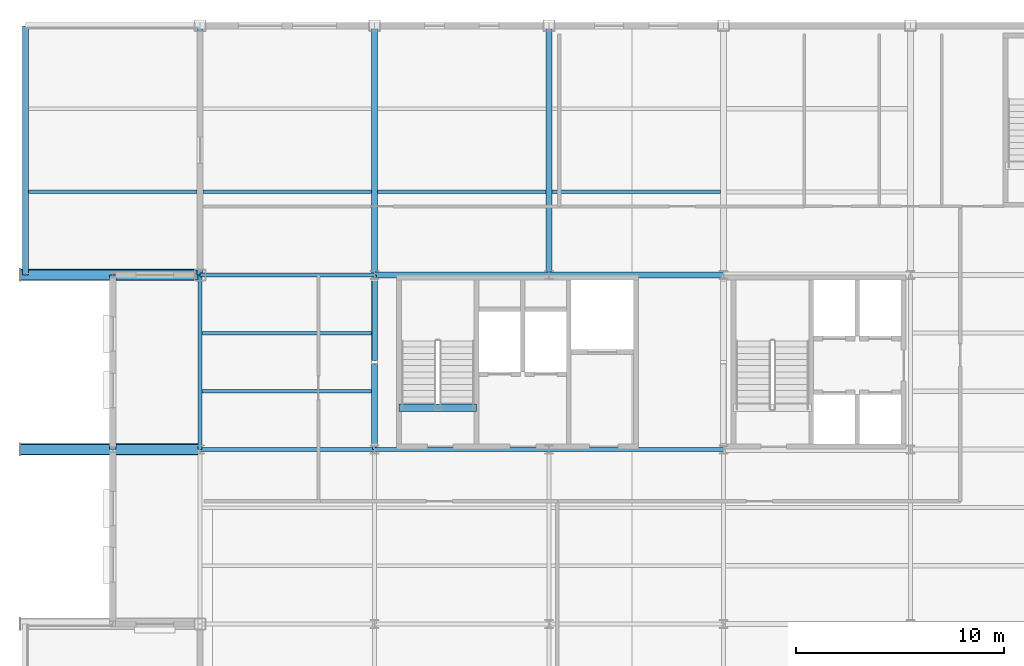
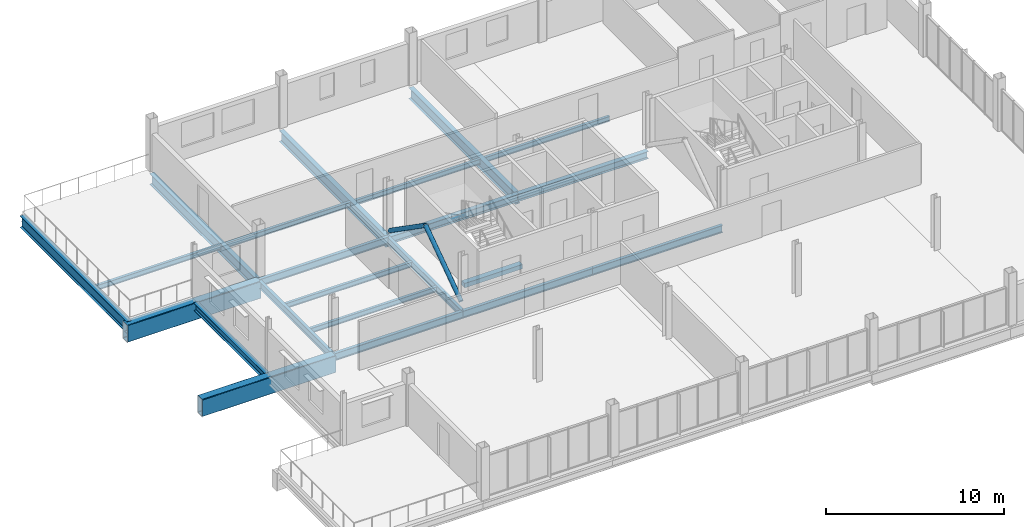
# One storey, part 6 of 18: 22 beams, 2 members.
"""IFC4 building model written with IfcOpenShell, lengths in metres."""

from ifc_helpers import new_model, si_unit, direction, frame, origin, origin_2d, place, context, subcontext, project, spatial, rectangle, hollow_rectangle, hollow_circle, i_section, extrude, material, material_profile, profile_set, type_object, element, save


model = new_model("IFC4")

# Units and contexts
model_context = context("Model", 3, precision=1e-05, world=origin(), true_north=direction((0.0, 1.0)))
body_context = subcontext(model_context, "Body", "Model", "MODEL_VIEW")
ifc_project = project(units=[si_unit("LENGTHUNIT", "METRE"), si_unit("AREAUNIT", "SQUARE_METRE"), si_unit("VOLUMEUNIT", "CUBIC_METRE"), si_unit("PLANEANGLEUNIT", "RADIAN"), si_unit("MASSUNIT", "GRAM", prefix="KILO")], contexts=[model_context])

# Site, building, storey
site_placement = place(None, origin())
site = spatial("IfcSite", under=ifc_project, at=site_placement, CompositionType="ELEMENT")
building_placement = place(site_placement, origin())
building = spatial("IfcBuilding", under=site, at=building_placement, Name="Yukiwa Park Conservatory and Herbarium", CompositionType="ELEMENT")
storey_placement = place(building_placement, frame((0.0, 0.0, 21.0)))
storey = spatial("IfcBuildingStorey", under=building, at=storey_placement, Name="L05", CompositionType="ELEMENT", Elevation=21.0)

# Beams
ifc_material_1 = material(Name="Steel Q355D", Category="steel")
ifc_material_profile_1 = material_profile(ifc_material_1, i_section(OverallWidth=0.199951171875, OverallDepth=0.5, WebThickness=0.010009765625, FlangeThickness=0.01611328125, FilletRadius=0.02001953125, at=origin_2d()), Name="HN 500x200x10x16")
ifc_profile_set_1 = profile_set([ifc_material_profile_1], Name="Steel Q355D")
beam_type_1 = type_object("IfcBeamType", Name="BM-GRD-HN500", PredefinedType="BEAM", material=ifc_profile_set_1)
beam_1_placement = place(storey_placement, frame((124.805908203125, 94.800048828125, -0.550048828125), z_axis=(1.0, 0.0, 0.0), x_axis=(0.0, 1.0, 0.0)))
element("IfcBeam", 1, at=beam_1_placement, inside=storey, type_object=beam_type_1, Name="L05 grid beam X-12", PredefinedType="BEAM", context=body_context, shape_type="SweptSolid", body=[
    extrude(i_section(OverallWidth=0.199951171875, OverallDepth=0.5, WebThickness=0.010009765625, FlangeThickness=0.01611328125, FilletRadius=0.02001953125, at=origin_2d()), origin(), (0.0, 0.0, 1.0), 8.38818359375),
])
for number, where, z_axis, x_axis, name in (
    (2, (133.2060546875, 94.800048828125, -0.550048828125), (1.0, 0.0, 0.0), (0.0, 1.0, 0.0), "L05 grid beam X-13"),
    (3, (141.60595703125, 94.800048828125, -0.550048828125), (1.0, 0.0, 0.0), (0.0, 1.0, 0.0), "L05 grid beam X-14"),
):
    element("IfcBeam", number, at=place(storey_placement, frame(where, z_axis=z_axis, x_axis=x_axis)), inside=storey, type_object=beam_type_1, Name=name, PredefinedType="BEAM", context=body_context, shape_type="SweptSolid", body=[
        extrude(i_section(OverallWidth=0.199951171875, OverallDepth=0.5, WebThickness=0.010009765625, FlangeThickness=0.01611328125, FilletRadius=0.02001953125, at=origin_2d()), origin(), (0.0, 0.0, 1.0), 8.387939453125),
    ])
for number, where, z_axis, x_axis, name in (
    (4, (124.805908203125, 103.199951171875, -0.550048828125), (1.0, 0.0, 0.0), (0.0, 1.0, 0.0), "L05 grid beam X-17"),
    (5, (124.800048828125, 94.805908203125, -0.550048828125), (0.0, 1.0, 0.0), (-1.0, 0.0, 0.0), "L05 grid girder Y-34"),
    (6, (133.199951171875, 94.805908203125, -0.550048828125), (0.0, 1.0, 0.0), (-1.0, 0.0, 0.0), "L05 grid girder Y-38"),
):
    element("IfcBeam", number, at=place(storey_placement, frame(where, z_axis=z_axis, x_axis=x_axis)), inside=storey, type_object=beam_type_1, Name=name, PredefinedType="BEAM", context=body_context, shape_type="SweptSolid", body=[
        extrude(i_section(OverallWidth=0.199951171875, OverallDepth=0.5, WebThickness=0.010009765625, FlangeThickness=0.01611328125, FilletRadius=0.02001953125, at=origin_2d()), origin(), (0.0, 0.0, 1.0), 8.38818359375),
    ])
ifc_material_2 = material(Name="Steel Q355D", Category="steel")
ifc_material_profile_2 = material_profile(ifc_material_2, i_section(OverallWidth=0.300048828125, OverallDepth=0.75, WebThickness=0.012939453125, FlangeThickness=0.02392578125, FilletRadius=0.028076171875, at=origin_2d()), Name="HN 750x300x13x24")
ifc_profile_set_2 = profile_set([ifc_material_profile_2], Name="Steel Q355D")
beam_type_2 = type_object("IfcBeamType", Name="BM-GRD-HN750", PredefinedType="BEAM", material=ifc_profile_set_2)
for number, where, z_axis, x_axis, name in (
    (7, (124.800048828125, 103.2060546875, -0.675048828125), (0.0, 1.0, 0.0), (-1.0, 0.0, 0.0), "L05 grid girder Y-35"),
    (8, (133.199951171875, 103.2060546875, -0.675048828125), (0.0, 1.0, 0.0), (-1.0, 0.0, 0.0), "L05 grid girder Y-39"),
    (9, (141.60009765625, 103.2060546875, -0.675048828125), (0.0, 1.0, 0.0), (-1.0, 0.0, 0.0), "L05 grid girder Y-42"),
):
    element("IfcBeam", number, at=place(storey_placement, frame(where, z_axis=z_axis, x_axis=x_axis)), inside=storey, type_object=beam_type_2, Name=name, PredefinedType="BEAM", context=body_context, shape_type="SweptSolid", body=[
        extrude(i_section(OverallWidth=0.300048828125, OverallDepth=0.75, WebThickness=0.012939453125, FlangeThickness=0.02392578125, FilletRadius=0.028076171875, at=origin_2d()), origin(), (0.0, 0.0, 1.0), 11.988037109375),
    ])
ifc_material_3 = material(Name="Steel Q355D", Category="steel")
ifc_material_profile_3 = material_profile(ifc_material_3, i_section(OverallWidth=0.175048828125, OverallDepth=0.35009765625, WebThickness=0.007080078125, FlangeThickness=0.010986328125, FilletRadius=0.013916015625, at=origin_2d()), Name="HN 350x175x7x11")
ifc_profile_set_3 = profile_set([ifc_material_profile_3], Name="Steel Q355D")
beam_type_3 = type_object("IfcBeamType", Name="BM-JST-HN350", PredefinedType="JOIST", material=ifc_profile_set_3)
beam_2_placement = place(storey_placement, frame((116.5458984375, 107.199951171875, -0.43994140625), z_axis=(1.0, 0.0, 0.0), x_axis=(0.0, 1.0, 0.0)))
element("IfcBeam", 10, at=beam_2_placement, inside=storey, type_object=beam_type_3, Name="L05 composite floor joist 3", PredefinedType="JOIST", context=body_context, shape_type="SweptSolid", body=[
    extrude(i_section(OverallWidth=0.175048828125, OverallDepth=0.35009765625, WebThickness=0.007080078125, FlangeThickness=0.010986328125, FilletRadius=0.013916015625, at=origin_2d()), origin(), (0.0, 0.0, 1.0), 8.108154296875),
])
for number, where, z_axis, x_axis, name in (
    (11, (124.89599609375, 97.60009765625, -0.47509765625), (1.0, 0.0, 0.0), (0.0, 1.0, 0.0), "L05 composite floor joist 9"),
    (12, (124.89599609375, 100.39990234375, -0.47509765625), (1.0, 0.0, 0.0), (0.0, 1.0, 0.0), "L05 composite floor joist 10"),
):
    element("IfcBeam", number, at=place(storey_placement, frame(where, z_axis=z_axis, x_axis=x_axis)), inside=storey, type_object=beam_type_3, Name=name, PredefinedType="JOIST", context=body_context, shape_type="SweptSolid", body=[
        extrude(i_section(OverallWidth=0.175048828125, OverallDepth=0.35009765625, WebThickness=0.007080078125, FlangeThickness=0.010986328125, FilletRadius=0.013916015625, at=origin_2d()), origin(), (0.0, 0.0, 1.0), 8.2080078125),
    ])
beam_3_placement = place(storey_placement, frame((124.946044921875, 107.199951171875, -0.47509765625), z_axis=(1.0, 0.0, 0.0), x_axis=(0.0, 1.0, 0.0)))
element("IfcBeam", 13, at=beam_3_placement, inside=storey, type_object=beam_type_3, Name="L05 composite floor joist 11", PredefinedType="JOIST", context=body_context, shape_type="SweptSolid", body=[
    extrude(i_section(OverallWidth=0.175048828125, OverallDepth=0.35009765625, WebThickness=0.007080078125, FlangeThickness=0.010986328125, FilletRadius=0.013916015625, at=origin_2d()), origin(), (0.0, 0.0, 1.0), 8.10791015625),
])
beam_4_placement = place(storey_placement, frame((133.345947265625, 107.199951171875, -0.47509765625), z_axis=(1.0, 0.0, 0.0), x_axis=(0.0, 1.0, 0.0)))
element("IfcBeam", 14, at=beam_4_placement, inside=storey, type_object=beam_type_3, Name="L05 composite floor joist 17", PredefinedType="JOIST", context=body_context, shape_type="SweptSolid", body=[
    extrude(i_section(OverallWidth=0.175048828125, OverallDepth=0.35009765625, WebThickness=0.007080078125, FlangeThickness=0.010986328125, FilletRadius=0.013916015625, at=origin_2d()), origin(), (0.0, 0.0, 1.0), 8.108154296875),
])
beam_5_placement = place(storey_placement, frame((141.74609375, 107.199951171875, -0.47509765625), z_axis=(1.0, 0.0, 0.0), x_axis=(0.0, 1.0, 0.0)))
element("IfcBeam", 15, at=beam_5_placement, inside=storey, type_object=beam_type_3, Name="L05 composite floor joist 23", PredefinedType="JOIST", context=body_context, shape_type="SweptSolid", body=[
    extrude(i_section(OverallWidth=0.175048828125, OverallDepth=0.35009765625, WebThickness=0.007080078125, FlangeThickness=0.010986328125, FilletRadius=0.013916015625, at=origin_2d()), origin(), (0.0, 0.0, 1.0), 8.10791015625),
])
ifc_material_4 = material(Name="Steel Q355D", Category="steel")
ifc_material_profile_4 = material_profile(ifc_material_4, i_section(OverallWidth=0.300048828125, OverallDepth=0.5, WebThickness=0.010986328125, FlangeThickness=0.01806640625, FilletRadius=0.02392578125, at=origin_2d()), Name="HM 500x300x11x18")
ifc_profile_set_4 = profile_set([ifc_material_profile_4], Name="Steel Q355D")
beam_type_4 = type_object("IfcBeamType", Name="BM-SPN-HN500", PredefinedType="SPANDREL", material=ifc_profile_set_4)
for number, where, z_axis, x_axis, name in (
    (16, (133.2060546875, 103.199951171875, -0.550048828125), (1.0, 0.0, 0.0), (0.0, 1.0, 0.0), "L05 spandrel beam X-18"),
    (17, (141.60595703125, 103.199951171875, -0.550048828125), (1.0, 0.0, 0.0), (0.0, 1.0, 0.0), "L05 spandrel beam X-19"),
):
    element("IfcBeam", number, at=place(storey_placement, frame(where, z_axis=z_axis, x_axis=x_axis)), inside=storey, type_object=beam_type_4, Name=name, PredefinedType="SPANDREL", context=body_context, shape_type="SweptSolid", body=[
        extrude(i_section(OverallWidth=0.300048828125, OverallDepth=0.5, WebThickness=0.010986328125, FlangeThickness=0.01806640625, FilletRadius=0.02392578125, at=origin_2d()), origin(), (0.0, 0.0, 1.0), 8.387939453125),
    ])
beam_6_placement = place(storey_placement, frame((120.60009765625, 94.805908203125, -0.550048828125), z_axis=(0.0, 1.0, 0.0), x_axis=(-1.0, 0.0, 0.0)))
element("IfcBeam", 18, at=beam_6_placement, inside=storey, type_object=beam_type_4, Name="L05 spandrel girder Y-31", PredefinedType="SPANDREL", context=body_context, shape_type="SweptSolid", body=[
    extrude(i_section(OverallWidth=0.300048828125, OverallDepth=0.5, WebThickness=0.010986328125, FlangeThickness=0.01806640625, FilletRadius=0.02392578125, at=origin_2d()), origin(), (0.0, 0.0, 1.0), 8.38818359375),
])
ifc_material_5 = material(Name="Steel Q355D", Category="steel")
ifc_material_profile_5 = material_profile(ifc_material_5, i_section(OverallWidth=0.300048828125, OverallDepth=0.7919921875, WebThickness=0.013916015625, FlangeThickness=0.02197265625, FilletRadius=0.028076171875, at=origin_2d()), Name="HN 792x300x14x22")
ifc_profile_set_5 = profile_set([ifc_material_profile_5], Name="Steel Q355D")
beam_type_5 = type_object("IfcBeamType", Name="BM-SPN-HN600", PredefinedType="SPANDREL", material=ifc_profile_set_5)
beam_7_placement = place(storey_placement, frame((116.39990234375, 103.2060546875, -0.660888671875), z_axis=(0.0, 1.0, 0.0), x_axis=(-1.0, 0.0, 0.0)))
element("IfcBeam", 19, at=beam_7_placement, inside=storey, type_object=beam_type_5, Name="L05 spandrel girder Y-29", PredefinedType="SPANDREL", context=body_context, shape_type="SweptSolid", body=[
    extrude(i_section(OverallWidth=0.300048828125, OverallDepth=0.7919921875, WebThickness=0.013916015625, FlangeThickness=0.02197265625, FilletRadius=0.028076171875, at=origin_2d()), origin(), (0.0, 0.0, 1.0), 11.988037109375),
])
ifc_material_6 = material(Name="Concrete C40", Category="concrete")
ifc_material_profile_6 = material_profile(ifc_material_6, rectangle(XDim=0.35009765625, YDim=0.300048828125, at=origin_2d()), Name="RC 350x300")
ifc_profile_set_6 = profile_set([ifc_material_profile_6], Name="Concrete C40")
beam_type_6 = type_object("IfcBeamType", Name="BM-STAIR-TRIM", PredefinedType="BEAM", material=ifc_profile_set_6)
beam_8_placement = place(storey_placement, frame((134.3701171875, 96.81005859375, -0.14990234375), z_axis=(1.0, 0.0, 0.0), x_axis=(0.0, 1.0, 0.0)))
element("IfcBeam", 20, at=beam_8_placement, inside=storey, type_object=beam_type_6, Name="Stair ST-T1 L05 landing trimmer beam", PredefinedType="BEAM", context=body_context, shape_type="SweptSolid", body=[
    extrude(rectangle(XDim=0.35009765625, YDim=0.300048828125, at=origin_2d()), origin(), (0.0, 0.0, 1.0), 3.75),
])
ifc_material_7 = material(Name="Steel Q355D", Category="steel")
ifc_material_profile_7 = material_profile(ifc_material_7, hollow_rectangle(XDim=0.550048828125, YDim=1.199951171875, WallThickness=0.035888671875, InnerFilletRadius=0.035888671875, OuterFilletRadius=0.072021484375, at=origin_2d()), Name="BOX 1200x550x36")
ifc_profile_set_7 = profile_set([ifc_material_profile_7], Name="Steel Q355D")
beam_type_7 = type_object("IfcBeamType", Name="BM-TG1-1200", PredefinedType="BEAM", material=ifc_profile_set_7)
for number, where, z_axis, x_axis, name in (
    (21, (116.155029296875, 94.800048828125, -0.89990234375), (1.0, 0.0, 0.0), (0.0, 1.0, 0.0), "Transfer girder TG-1.2 at L05 west setback"),
    (22, (116.155029296875, 103.199951171875, -0.89990234375), (1.0, 0.0, 0.0), (0.0, 1.0, 0.0), "Transfer girder TG-1.3 at L05 west setback"),
):
    element("IfcBeam", number, at=place(storey_placement, frame(where, z_axis=z_axis, x_axis=x_axis)), inside=storey, type_object=beam_type_7, Name=name, PredefinedType="BEAM", context=body_context, shape_type="SweptSolid", body=[
        extrude(hollow_rectangle(XDim=0.550048828125, YDim=1.199951171875, WallThickness=0.035888671875, InnerFilletRadius=0.035888671875, OuterFilletRadius=0.072021484375, at=origin_2d()), origin(), (0.0, 0.0, 1.0), 8.638916015625),
    ])

# Members
ifc_material_8 = material(Name="Steel Q355D", Category="steel")
ifc_material_profile_8 = material_profile(ifc_material_8, hollow_circle(Radius=0.136474609375, WallThickness=0.010009765625, at=origin_2d()), Name="CHS 273x10")
ifc_profile_set_8 = profile_set([ifc_material_profile_8], Name="Steel Q355D")
member_type = type_object("IfcMemberType", Name="MB-BR-CHS273", PredefinedType="BRACE", material=ifc_profile_set_8)
for number, where, z_axis, x_axis, name in (
    (23, (133.199951171875, 95.00537109375, 0.19287109375), (0.0, 0.820582055206, 0.571528731276), (-1.0, 0.0, 0.0), "L05 concentric chevron brace 33"),
    (24, (133.199951171875, 102.99462890625, 0.19287109375), (0.0, -0.820582055206, 0.571528731276), (1.0, 0.0, 0.0), "L05 concentric chevron brace 34"),
):
    element("IfcMember", number, at=place(storey_placement, frame(where, z_axis=z_axis, x_axis=x_axis)), inside=storey, type_object=member_type, Name=name, PredefinedType="BRACE", context=body_context, shape_type="SweptSolid", body=[
        extrude(hollow_circle(Radius=0.136474609375, WallThickness=0.010009765625, at=origin_2d()), origin(), (0.0, 0.0, 1.0), 4.8681640625),
    ])

save(model, "model.ifc")
